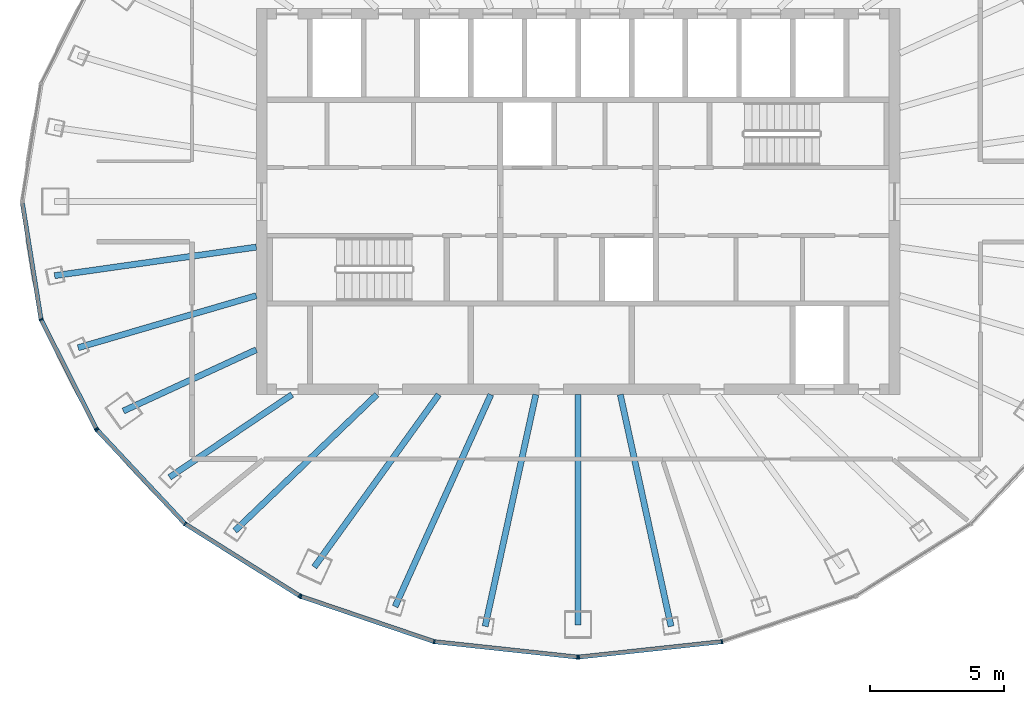
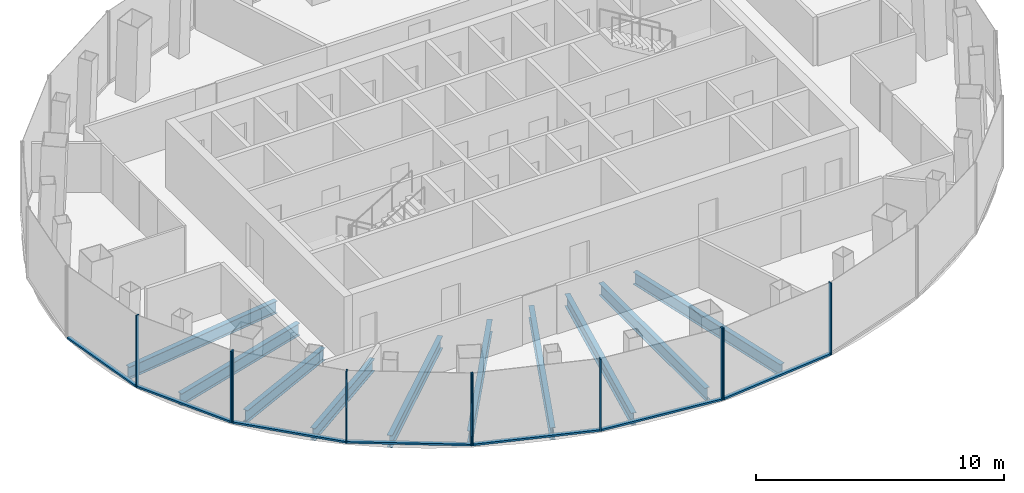
# One storey, part 2 of 11: 17 members, 10 beams, 4 elements without a shape of their own.
"""IFC4 building model written with IfcOpenShell, lengths in metres."""

from ifc_helpers import new_model, si_unit, direction, frame, origin, origin_2d, place, context, subcontext, project, spatial, rectangle, i_section, extrude, material, layer, layer_set, material_profile, profile_set, type_object, element, aggregate, save


model = new_model("IFC4")

# Units and contexts
model_context = context("Model", 3, precision=1e-05, world=origin(), true_north=direction((0.0, 1.0)))
body_context = subcontext(model_context, "Body", "Model", "MODEL_VIEW")
ifc_project = project(units=[si_unit("LENGTHUNIT", "METRE"), si_unit("AREAUNIT", "SQUARE_METRE"), si_unit("VOLUMEUNIT", "CUBIC_METRE"), si_unit("PLANEANGLEUNIT", "RADIAN"), si_unit("MASSUNIT", "GRAM", prefix="KILO")], contexts=[model_context])

# Site, building, storey
site_placement = place(None, origin())
site = spatial("IfcSite", under=ifc_project, at=site_placement, CompositionType="ELEMENT")
building_placement = place(site_placement, origin())
building = spatial("IfcBuilding", under=site, at=building_placement, Name="Siaravel Broadcast Tower", CompositionType="ELEMENT")
storey_placement = place(building_placement, frame((0.0, 0.0, 257.800048828125)))
storey = spatial("IfcBuildingStorey", under=building, at=storey_placement, Name="L63", CompositionType="ELEMENT", Elevation=257.800048828125)

# Beams
ifc_material_1 = material(Name="Steel S355", Category="steel")
ifc_material_profile_1 = material_profile(ifc_material_1, i_section(OverallWidth=0.2275390625, OverallDepth=0.6025390625, WebThickness=0.010498046875, FlangeThickness=0.014892578125, FilletRadius=0.0126953125, at=origin_2d()))
ifc_profile_set_1 = profile_set([ifc_material_profile_1], Name="Steel S355")
beam_type = type_object("IfcBeamType", Name="BM-UB 610x229x101", PredefinedType="BEAM", material=ifc_profile_set_1)
beam_1_placement = place(storey_placement, frame((-19.5244140625, -2.764404296875, -0.451416015625), z_axis=(0.990127962, 0.140166395, 0.0), x_axis=(-0.140166395, 0.990127962, 0.0)))
element("IfcBeam", 1, at=beam_1_placement, inside=storey, type_object=beam_type, Name="Radial beam RB20", PredefinedType="BEAM", context=body_context, shape_type="SweptSolid", body=[
    extrude(i_section(OverallWidth=0.2275390625, OverallDepth=0.6025390625, WebThickness=0.010498046875, FlangeThickness=0.014892578125, FilletRadius=0.0126953125, at=origin_2d()), origin(), (0.0, 0.0, 1.0), 7.599365234375),
])
beam_2_placement = place(storey_placement, frame((-18.64501953125, -5.451904296875, -0.451416015625), z_axis=(0.959806244, 0.280663454, 0.0), x_axis=(-0.280663454, 0.959806244, 0.0)))
element("IfcBeam", 2, at=beam_2_placement, inside=storey, type_object=beam_type, Name="Radial beam RB21", PredefinedType="BEAM", context=body_context, shape_type="SweptSolid", body=[
    extrude(i_section(OverallWidth=0.2275390625, OverallDepth=0.6025390625, WebThickness=0.010498046875, FlangeThickness=0.014892578125, FilletRadius=0.0126953125, at=origin_2d()), origin(), (0.0, 0.0, 1.0), 6.92333984375),
])
beam_3_placement = place(storey_placement, frame((-16.9580078125, -7.811279296875, -0.451416015625), z_axis=(0.908264143, 0.418397235, 0.0), x_axis=(-0.418397235, 0.908264143, 0.0)))
element("IfcBeam", 3, at=beam_3_placement, inside=storey, type_object=beam_type, Name="Radial beam RB22", PredefinedType="BEAM", context=body_context, shape_type="SweptSolid", body=[
    extrude(i_section(OverallWidth=0.2275390625, OverallDepth=0.6025390625, WebThickness=0.010498046875, FlangeThickness=0.014892578125, FilletRadius=0.0126953125, at=origin_2d()), origin(), (0.0, 0.0, 1.0), 5.458740234375),
])
beam_4_placement = place(storey_placement, frame((-15.23681640625, -10.2841796875, -0.451416015625), z_axis=(0.828854835, 0.559463728, 0.0), x_axis=(-0.559463728, 0.828854835, 0.0)))
element("IfcBeam", 4, at=beam_4_placement, inside=storey, type_object=beam_type, Name="Radial beam RB23", PredefinedType="BEAM", context=body_context, shape_type="SweptSolid", body=[
    extrude(i_section(OverallWidth=0.2275390625, OverallDepth=0.6025390625, WebThickness=0.010498046875, FlangeThickness=0.014892578125, FilletRadius=0.0126953125, at=origin_2d()), origin(), (0.0, 0.0, 1.0), 5.512939453125),
])
beam_5_placement = place(storey_placement, frame((-12.80078125, -12.279052734375, -0.451416015625), z_axis=(0.721645274, 0.692263027, 0.0), x_axis=(-0.692263027, 0.721645274, 0.0)))
element("IfcBeam", 5, at=beam_5_placement, inside=storey, type_object=beam_type, Name="Radial beam RB24", PredefinedType="BEAM", context=body_context, shape_type="SweptSolid", body=[
    extrude(i_section(OverallWidth=0.2275390625, OverallDepth=0.6025390625, WebThickness=0.010498046875, FlangeThickness=0.014892578125, FilletRadius=0.0126953125, at=origin_2d()), origin(), (0.0, 0.0, 1.0), 7.3369140625),
])
beam_6_placement = place(storey_placement, frame((-9.839599609375, -13.632568359375, -0.451416015625), z_axis=(0.585245577, 0.8108561, 0.0), x_axis=(-0.8108561, 0.585245577, 0.0)))
element("IfcBeam", 6, at=beam_6_placement, inside=storey, type_object=beam_type, Name="Radial beam RB25", PredefinedType="BEAM", context=body_context, shape_type="SweptSolid", body=[
    extrude(i_section(OverallWidth=0.2275390625, OverallDepth=0.6025390625, WebThickness=0.010498046875, FlangeThickness=0.014892578125, FilletRadius=0.0126953125, at=origin_2d()), origin(), (0.0, 0.0, 1.0), 7.93310546875),
])
beam_7_placement = place(storey_placement, frame((-6.82373046875, -15.1044921875, -0.451416015625), z_axis=(0.41170663, 0.911316439, 0.0), x_axis=(-0.911316439, 0.41170663, 0.0)))
element("IfcBeam", 7, at=beam_7_placement, inside=storey, type_object=beam_type, Name="Radial beam RB26", PredefinedType="BEAM", context=body_context, shape_type="SweptSolid", body=[
    extrude(i_section(OverallWidth=0.2275390625, OverallDepth=0.6025390625, WebThickness=0.010498046875, FlangeThickness=0.014892578125, FilletRadius=0.0126953125, at=origin_2d()), origin(), (0.0, 0.0, 1.0), 8.673828125),
])
beam_8_placement = place(storey_placement, frame((-3.46630859375, -15.84130859375, -0.451416015625), z_axis=(0.213758611, 0.976886511, 0.0), x_axis=(-0.976886511, 0.213758611, 0.0)))
element("IfcBeam", 8, at=beam_8_placement, inside=storey, type_object=beam_type, Name="Radial beam RB27", PredefinedType="BEAM", context=body_context, shape_type="SweptSolid", body=[
    extrude(i_section(OverallWidth=0.2275390625, OverallDepth=0.6025390625, WebThickness=0.010498046875, FlangeThickness=0.014892578125, FilletRadius=0.0126953125, at=origin_2d()), origin(), (0.0, 0.0, 1.0), 8.845703125),
])
beam_9_placement = place(storey_placement, frame((0.0, -15.789794921875, -0.451416015625), z_axis=(0.0, 1.0, 0.0), x_axis=(-1.0, 0.0, 0.0)))
element("IfcBeam", 9, at=beam_9_placement, inside=storey, type_object=beam_type, Name="Radial beam RB28", PredefinedType="BEAM", context=body_context, shape_type="SweptSolid", body=[
    extrude(i_section(OverallWidth=0.2275390625, OverallDepth=0.6025390625, WebThickness=0.010498046875, FlangeThickness=0.014892578125, FilletRadius=0.0126953125, at=origin_2d()), origin(), (0.0, 0.0, 1.0), 8.58984375),
])
beam_10_placement = place(storey_placement, frame((3.46630859375, -15.84130859375, -0.451416015625), z_axis=(-0.213758611, 0.976886511, 0.0), x_axis=(-0.976886511, -0.213758611, 0.0)))
element("IfcBeam", 10, at=beam_10_placement, inside=storey, type_object=beam_type, Name="Radial beam RB29", PredefinedType="BEAM", context=body_context, shape_type="SweptSolid", body=[
    extrude(i_section(OverallWidth=0.2275390625, OverallDepth=0.6025390625, WebThickness=0.010498046875, FlangeThickness=0.014892578125, FilletRadius=0.0126953125, at=origin_2d()), origin(), (0.0, 0.0, 1.0), 8.845703125),
])

# Curtain wall, members
ifc_material_2 = material(Name="Aluminium 6063-T6", Category="aluminium")
ifc_layer = layer(ifc_material_2, 0.159912109375)
ifc_layer_set = layer_set([ifc_layer], Name="Aluminium 6063-T6")
curtain_wall_type = type_object("IfcCurtainWallType", Name="Unitised curtain wall, zone 4", PredefinedType="NOTDEFINED", material=ifc_layer_set)
curtain_wall_1_placement = place(storey_placement, origin())
curtain_wall_1 = element("IfcCurtainWall", 11, at=curtain_wall_1_placement, inside=storey, type_object=curtain_wall_type, Name="L63 Unitised curtain wall, zone 4 07", PredefinedType="NOTDEFINED")
ifc_material_profile_2 = material_profile(ifc_material_2, rectangle(XDim=0.159912109375, YDim=0.054931640625, at=origin_2d()))
ifc_profile_set_2 = profile_set([ifc_material_profile_2], Name="Aluminium 6063-T6")
member_type_1 = type_object("IfcMemberType", Name="CW-Z4 mullion", PredefinedType="MULLION", material=ifc_profile_set_2)
member_1_placement = place(storey_placement, frame((-20.0263671875, -4.400390625, 0.0), z_axis=(0.0, 0.0, 1.0), x_axis=(0.951177667, 0.30864388, 0.0)))
member_1 = element("IfcMember", 12, at=member_1_placement, type_object=member_type_1, Name="CW-Z4 mullion 2", PredefinedType="MULLION", context=body_context, shape_type="SweptSolid", body=[
    extrude(rectangle(XDim=0.159912109375, YDim=0.054931640625, at=origin_2d()), origin(), (0.0, 0.0, 1.0), 3.550048828125),
])
member_2_placement = place(storey_placement, frame((-17.9658203125, -8.475341796875, 0.0), z_axis=(0.0, 0.0, 1.0), x_axis=(0.892393007, 0.45125904, 0.0)))
member_2 = element("IfcMember", 13, at=member_2_placement, type_object=member_type_1, Name="CW-Z4 mullion 3", PredefinedType="MULLION", context=body_context, shape_type="SweptSolid", body=[
    extrude(rectangle(XDim=0.159912109375, YDim=0.054931640625, at=origin_2d()), origin(), (0.0, 0.0, 1.0), 3.550048828125),
])

curtain_wall_2_placement = place(storey_placement, origin())
curtain_wall_2 = element("IfcCurtainWall", 14, at=curtain_wall_2_placement, inside=storey, type_object=curtain_wall_type, Name="L63 Unitised curtain wall, zone 4 08", PredefinedType="NOTDEFINED")
member_3_placement = place(storey_placement, frame((-17.9345703125, -8.52001953125, 0.0), z_axis=(0.0, 0.0, 1.0), x_axis=(0.729806711, 0.683653541, 0.0)))
member_3 = element("IfcMember", 15, at=member_3_placement, type_object=member_type_1, Name="CW-Z4 mullion 1", PredefinedType="MULLION", context=body_context, shape_type="SweptSolid", body=[
    extrude(rectangle(XDim=0.159912109375, YDim=0.054931640625, at=origin_2d()), origin(), (0.0, 0.0, 1.0), 3.550048828125),
])
member_4_placement = place(storey_placement, frame((-14.6572265625, -12.0185546875, 0.0), z_axis=(0.0, 0.0, 1.0), x_axis=(0.636220107, 0.771507599, 0.0)))
member_4 = element("IfcMember", 16, at=member_4_placement, type_object=member_type_1, Name="CW-Z4 mullion 2", PredefinedType="MULLION", context=body_context, shape_type="SweptSolid", body=[
    extrude(rectangle(XDim=0.159912109375, YDim=0.054931640625, at=origin_2d()), origin(), (0.0, 0.0, 1.0), 3.550048828125),
])
member_5_placement = place(storey_placement, frame((-10.386474609375, -14.702880859375, 0.0), z_axis=(0.0, 0.0, 1.0), x_axis=(0.532150638, 0.84664969, 0.0)))
member_5 = element("IfcMember", 17, at=member_5_placement, type_object=member_type_1, Name="CW-Z4 mullion 3", PredefinedType="MULLION", context=body_context, shape_type="SweptSolid", body=[
    extrude(rectangle(XDim=0.159912109375, YDim=0.054931640625, at=origin_2d()), origin(), (0.0, 0.0, 1.0), 3.550048828125),
])

curtain_wall_3_placement = place(storey_placement, origin())
curtain_wall_3 = element("IfcCurtainWall", 18, at=curtain_wall_3_placement, inside=storey, type_object=curtain_wall_type, Name="L63 Unitised curtain wall, zone 4 09", PredefinedType="NOTDEFINED")
member_6_placement = place(storey_placement, frame((-10.337158203125, -14.726318359375, 0.0), z_axis=(0.0, 0.0, 1.0), x_axis=(0.321301584, 0.946976923, 0.0)))
member_6 = element("IfcMember", 19, at=member_6_placement, type_object=member_type_1, Name="CW-Z4 mullion 1", PredefinedType="MULLION", context=body_context, shape_type="SweptSolid", body=[
    extrude(rectangle(XDim=0.159912109375, YDim=0.054931640625, at=origin_2d()), origin(), (0.0, 0.0, 1.0), 3.550048828125),
])
member_7_placement = place(storey_placement, frame((-5.364013671875, -16.413818359375, 0.0), z_axis=(0.0, 0.0, 1.0), x_axis=(0.215558728, 0.976490878, 0.0)))
member_7 = element("IfcMember", 20, at=member_7_placement, type_object=member_type_1, Name="CW-Z4 mullion 2", PredefinedType="MULLION", context=body_context, shape_type="SweptSolid", body=[
    extrude(rectangle(XDim=0.159912109375, YDim=0.054931640625, at=origin_2d()), origin(), (0.0, 0.0, 1.0), 3.550048828125),
])
member_8_placement = place(storey_placement, frame((-0.02734375, -16.9892578125, 0.0), z_axis=(0.0, 0.0, 1.0), x_axis=(0.107217823, 0.994235555, 0.0)))
member_8 = element("IfcMember", 21, at=member_8_placement, type_object=member_type_1, Name="CW-Z4 mullion 3", PredefinedType="MULLION", context=body_context, shape_type="SweptSolid", body=[
    extrude(rectangle(XDim=0.159912109375, YDim=0.054931640625, at=origin_2d()), origin(), (0.0, 0.0, 1.0), 3.550048828125),
])

curtain_wall_4_placement = place(storey_placement, origin())
curtain_wall_4 = element("IfcCurtainWall", 22, at=curtain_wall_4_placement, inside=storey, type_object=curtain_wall_type, Name="L63 Unitised curtain wall, zone 4 10", PredefinedType="NOTDEFINED")
member_9_placement = place(storey_placement, frame((0.02734375, -16.9892578125, 0.0), z_axis=(0.0, 0.0, 1.0), x_axis=(-0.107217823, 0.994235555, 0.0)))
member_9 = element("IfcMember", 23, at=member_9_placement, type_object=member_type_1, Name="CW-Z4 mullion 1", PredefinedType="MULLION", context=body_context, shape_type="SweptSolid", body=[
    extrude(rectangle(XDim=0.159912109375, YDim=0.054931640625, at=origin_2d()), origin(), (0.0, 0.0, 1.0), 3.550048828125),
])
member_10_placement = place(storey_placement, frame((5.364013671875, -16.413818359375, 0.0), z_axis=(0.0, 0.0, 1.0), x_axis=(-0.215558728, 0.976490878, 0.0)))
member_10 = element("IfcMember", 24, at=member_10_placement, type_object=member_type_1, Name="CW-Z4 mullion 2", PredefinedType="MULLION", context=body_context, shape_type="SweptSolid", body=[
    extrude(rectangle(XDim=0.159912109375, YDim=0.054931640625, at=origin_2d()), origin(), (0.0, 0.0, 1.0), 3.550048828125),
])

# Member
ifc_material_profile_3 = material_profile(ifc_material_2, rectangle(XDim=0.159912109375, YDim=0.090087890625, at=origin_2d()))
ifc_profile_set_3 = profile_set([ifc_material_profile_3], Name="Aluminium 6063-T6")
member_type_2 = type_object("IfcMemberType", Name="CW-Z4 transom", PredefinedType="USERDEFINED", material=ifc_profile_set_3)
member_11_placement = place(storey_placement, frame((-20.724853515625, -0.05419921875, 0.044921875), z_axis=(0.158667409, -0.987332089, 0.0), x_axis=(0.987332089, 0.158667409, 0.0)))
member_11 = element("IfcMember", 25, at=member_11_placement, type_object=member_type_2, Name="CW-Z4 transom 1", ObjectType="TRANSOM", PredefinedType="USERDEFINED", context=body_context, shape_type="SweptSolid", body=[
    extrude(rectangle(XDim=0.159912109375, YDim=0.090087890625, at=origin_2d()), origin(), (0.0, 0.0, 1.0), 4.37451171875),
])

member_12_placement = place(storey_placement, frame((-20.013916015625, -4.425048828125, 0.044921875), z_axis=(0.451257233, -0.892393921, 0.0), x_axis=(0.892393921, 0.451257233, 0.0)))
member_12 = element("IfcMember", 26, at=member_12_placement, type_object=member_type_2, Name="CW-Z4 transom 2", ObjectType="TRANSOM", PredefinedType="USERDEFINED", context=body_context, shape_type="SweptSolid", body=[
    extrude(rectangle(XDim=0.159912109375, YDim=0.090087890625, at=origin_2d()), origin(), (0.0, 0.0, 1.0), 4.510986328125),
])

aggregate(curtain_wall_1, [member_1, member_2, member_11, member_12])

member_13_placement = place(storey_placement, frame((-17.915771484375, -8.5400390625, 0.044921875), z_axis=(0.683649743, -0.729810269, 0.0), x_axis=(0.729810269, 0.683649743, 0.0)))
member_13 = element("IfcMember", 27, at=member_13_placement, type_object=member_type_2, Name="CW-Z4 transom 1", ObjectType="TRANSOM", PredefinedType="USERDEFINED", context=body_context, shape_type="SweptSolid", body=[
    extrude(rectangle(XDim=0.159912109375, YDim=0.090087890625, at=origin_2d()), origin(), (0.0, 0.0, 1.0), 4.739013671875),
])

member_14_placement = place(storey_placement, frame((-14.6337890625, -12.033203125, 0.044921875), z_axis=(0.846648518, -0.532152504, 0.0), x_axis=(0.532152504, 0.846648518, 0.0)))
member_14 = element("IfcMember", 28, at=member_14_placement, type_object=member_type_2, Name="CW-Z4 transom 2", ObjectType="TRANSOM", PredefinedType="USERDEFINED", context=body_context, shape_type="SweptSolid", body=[
    extrude(rectangle(XDim=0.159912109375, YDim=0.090087890625, at=origin_2d()), origin(), (0.0, 0.0, 1.0), 4.9892578125),
])

aggregate(curtain_wall_2, [member_3, member_4, member_5, member_13, member_14])

member_15_placement = place(storey_placement, frame((-10.31103515625, -14.735107421875, 0.044921875), z_axis=(0.946973595, -0.321311392, 0.0), x_axis=(0.321311392, 0.946973595, 0.0)))
member_15 = element("IfcMember", 29, at=member_15_placement, type_object=member_type_2, Name="CW-Z4 transom 1", ObjectType="TRANSOM", PredefinedType="USERDEFINED", context=body_context, shape_type="SweptSolid", body=[
    extrude(rectangle(XDim=0.159912109375, YDim=0.090087890625, at=origin_2d()), origin(), (0.0, 0.0, 1.0), 5.196533203125),
])

member_16_placement = place(storey_placement, frame((-5.336669921875, -16.416748046875, 0.044921875), z_axis=(0.994236077, -0.107212978, 0.0), x_axis=(0.107212978, 0.994236077, 0.0)))
member_16 = element("IfcMember", 30, at=member_16_placement, type_object=member_type_2, Name="CW-Z4 transom 2", ObjectType="TRANSOM", PredefinedType="USERDEFINED", context=body_context, shape_type="SweptSolid", body=[
    extrude(rectangle(XDim=0.159912109375, YDim=0.090087890625, at=origin_2d()), origin(), (0.0, 0.0, 1.0), 5.3125),
])

aggregate(curtain_wall_3, [member_6, member_7, member_8, member_15, member_16])

member_17_placement = place(storey_placement, frame((0.0546875, -16.986328125, 0.044921875), z_axis=(0.994236077, 0.107212978, 0.0), x_axis=(-0.107212978, 0.994236077, 0.0)))
member_17 = element("IfcMember", 31, at=member_17_placement, type_object=member_type_2, Name="CW-Z4 transom 1", ObjectType="TRANSOM", PredefinedType="USERDEFINED", context=body_context, shape_type="SweptSolid", body=[
    extrude(rectangle(XDim=0.159912109375, YDim=0.090087890625, at=origin_2d()), origin(), (0.0, 0.0, 1.0), 5.3125),
])

aggregate(curtain_wall_4, [member_9, member_10, member_17])

save(model, "model.ifc")
